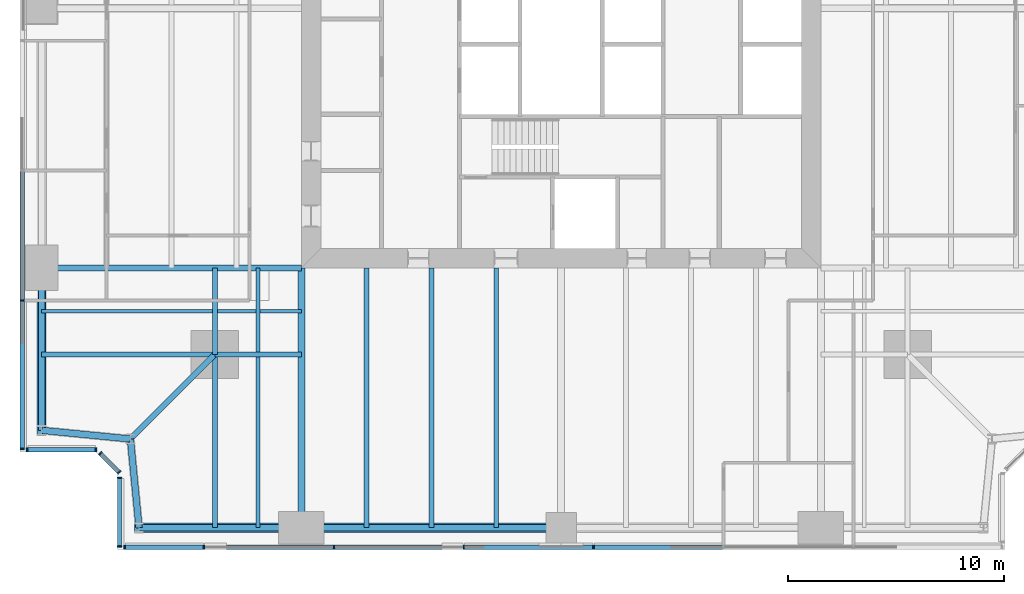
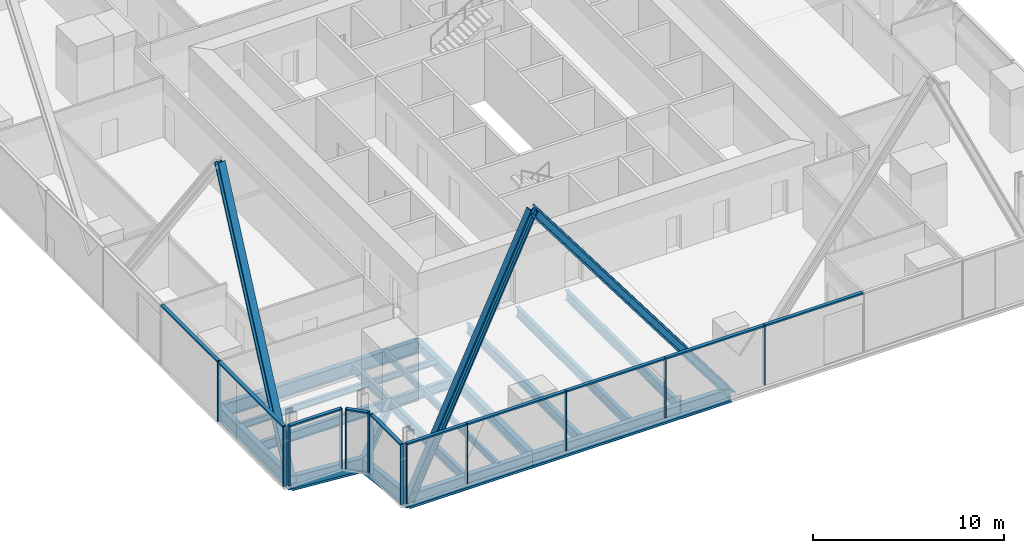
# One storey, part 2 of 13: 26 members, 20 beams, 5 elements without a shape of their own.
"""IFC4 building model written with IfcOpenShell, lengths in metres."""

from ifc_helpers import new_model, si_unit, direction, frame, origin, origin_2d, place, context, subcontext, project, spatial, rectangle, i_section, extrude, material, material_profile, profile_set, type_object, element, aggregate, save


model = new_model("IFC4")

# Units and contexts
model_context = context("Model", 3, precision=1e-05, world=origin(), true_north=direction((0.0, 1.0)))
body_context = subcontext(model_context, "Body", "Model", "MODEL_VIEW")
ifc_project = project(units=[si_unit("LENGTHUNIT", "METRE"), si_unit("AREAUNIT", "SQUARE_METRE"), si_unit("VOLUMEUNIT", "CUBIC_METRE"), si_unit("PLANEANGLEUNIT", "RADIAN"), si_unit("MASSUNIT", "GRAM", prefix="KILO")], contexts=[model_context])

# Site, building, storey
site_placement = place(None, origin())
site = spatial("IfcSite", under=ifc_project, at=site_placement, CompositionType="ELEMENT")
building_placement = place(site_placement, origin())
building = spatial("IfcBuilding", under=site, at=building_placement, Name="Fenwick Lantern Interchange", CompositionType="ELEMENT")
storey_placement = place(building_placement, frame((0.0, 0.0, 114.39990234375)))
storey = spatial("IfcBuildingStorey", under=building, at=storey_placement, Name="L26", CompositionType="ELEMENT", Elevation=114.39990234375)

# Beams
ifc_material_1 = material(Name="Steel ASTM A992 Grade 50", Category="steel")
ifc_material_profile_1 = material_profile(ifc_material_1, i_section(OverallWidth=0.3046875, OverallDepth=0.911865234375, WebThickness=0.015869140625, FlangeThickness=0.02392578125, at=origin_2d()), Name="W36X150")
ifc_profile_set_1 = profile_set([ifc_material_profile_1], Name="Steel ASTM A992 Grade 50")
beam_type_1 = type_object("IfcBeamType", Name="EDGE BEAM W36X150", PredefinedType="SPANDREL", material=ifc_profile_set_1)
beam_1_placement = place(storey_placement, frame((5.5, 1.0, -0.605712890625), z_axis=(1.0, 0.0, 0.0), x_axis=(0.0, 1.0, 0.0)))
element("IfcBeam", 1, at=beam_1_placement, inside=storey, type_object=beam_type_1, Name="L26/FR/S/EB1", PredefinedType="SPANDREL", context=body_context, shape_type="SweptSolid", body=[
    extrude(i_section(OverallWidth=0.3046875, OverallDepth=0.911865234375, WebThickness=0.015869140625, FlangeThickness=0.02392578125, at=origin_2d()), origin(), (0.0, 0.0, 1.0), 7.5),
])
beam_2_placement = place(storey_placement, frame((13.0, 1.0, -0.605712890625), z_axis=(1.0, 0.0, 0.0), x_axis=(0.0, 1.0, 0.0)))
element("IfcBeam", 2, at=beam_2_placement, inside=storey, type_object=beam_type_1, Name="L26/FR/S/EB2", PredefinedType="SPANDREL", context=body_context, shape_type="SweptSolid", body=[
    extrude(i_section(OverallWidth=0.3046875, OverallDepth=0.911865234375, WebThickness=0.015869140625, FlangeThickness=0.02392578125, at=origin_2d()), origin(), (0.0, 0.0, 1.0), 12.0),
])
beam_3_placement = place(storey_placement, frame((1.0, 13.0, -0.605712890625), z_axis=(0.0, -1.0, 0.0), x_axis=(1.0, 0.0, 0.0)))
element("IfcBeam", 3, at=beam_3_placement, inside=storey, type_object=beam_type_1, Name="L26/FR/W/EB4", PredefinedType="SPANDREL", context=body_context, shape_type="SweptSolid", body=[
    extrude(i_section(OverallWidth=0.3046875, OverallDepth=0.911865234375, WebThickness=0.015869140625, FlangeThickness=0.02392578125, at=origin_2d()), origin(), (0.0, 0.0, 1.0), 7.5),
])
for number, where, z_axis, x_axis, name in (
    (4, (1.0, 5.5, -0.605712890625), (0.995277148028, -0.097074191287, 0.0), (0.097074191287, 0.995277148028, 0.0), "L26/FR/W/EBR1"),
    (5, (5.10009765625, 5.10009765625, -0.605712890625), (0.097074191287, -0.995277148028, 0.0), (0.995277148028, 0.097074191287, 0.0), "L26/FR/W/EBR2"),
):
    element("IfcBeam", number, at=place(storey_placement, frame(where, z_axis=z_axis, x_axis=x_axis)), inside=storey, type_object=beam_type_1, Name=name, PredefinedType="SPANDREL", context=body_context, shape_type="SweptSolid", body=[
        extrude(i_section(OverallWidth=0.3046875, OverallDepth=0.911865234375, WebThickness=0.015869140625, FlangeThickness=0.02392578125, at=origin_2d()), origin(), (0.0, 0.0, 1.0), 4.11962890625),
    ])

# Members
ifc_material_profile_2 = material_profile(ifc_material_1, i_section(OverallWidth=0.424072265625, OverallDepth=0.47509765625, WebThickness=0.0478515625, FlangeThickness=0.0771484375, at=origin_2d()), Name="W14X426")
ifc_profile_set_2 = profile_set([ifc_material_profile_2], Name="Steel ASTM A992 Grade 50")
member_type_1 = type_object("IfcMemberType", Name="FACADE BRACE W14X426", PredefinedType="BRACE", material=ifc_profile_set_2)
for number, where, z_axis, x_axis, name in (
    (6, (5.5, 1.0, -0.605712890625), (0.424433876231, 0.0, 0.905458935959), (0.0, 1.0, 0.0), "L26/FB/S/AE"),
    (7, (1.0, 5.5, -0.605712890625), (0.0, 0.424433876231, 0.905458935959), (-1.0, 0.0, 0.0), "L26/FB/W/BE"),
):
    element("IfcMember", number, at=place(storey_placement, frame(where, z_axis=z_axis, x_axis=x_axis)), inside=storey, type_object=member_type_1, Name=name, PredefinedType="BRACE", context=body_context, shape_type="SweptSolid", body=[
        extrude(i_section(OverallWidth=0.424072265625, OverallDepth=0.47509765625, WebThickness=0.0478515625, FlangeThickness=0.0771484375, at=origin_2d()), origin(), (0.0, 0.0, 1.0), 17.670654296875),
    ])
ifc_material_profile_3 = material_profile(ifc_material_1, i_section(OverallWidth=0.44189453125, OverallDepth=0.53076171875, WebThickness=0.06591796875, FlangeThickness=0.105712890625, at=origin_2d()), Name="W14X605")
ifc_profile_set_3 = profile_set([ifc_material_profile_3], Name="Steel ASTM A992 Grade 50")
member_type_2 = type_object("IfcMemberType", Name="FACADE BRACE W14X605", PredefinedType="BRACE", material=ifc_profile_set_3)
member_1_placement = place(storey_placement, frame((25.0, 1.0, -0.605712890625), z_axis=(-0.6, 0.0, 0.8), x_axis=(0.0, -1.0, 0.0)))
element("IfcMember", 8, at=member_1_placement, inside=storey, type_object=member_type_2, Name="L26/FB/S/A", PredefinedType="BRACE", context=body_context, shape_type="SweptSolid", body=[
    extrude(i_section(OverallWidth=0.44189453125, OverallDepth=0.53076171875, WebThickness=0.06591796875, FlangeThickness=0.105712890625, at=origin_2d()), origin(), (0.0, 0.0, 1.0), 20.0),
])

# Beams
ifc_material_profile_4 = material_profile(ifc_material_1, i_section(OverallWidth=0.22900390625, OverallDepth=0.612060546875, WebThickness=0.011962890625, FlangeThickness=0.01953125, at=origin_2d()), Name="W24X84")
ifc_profile_set_4 = profile_set([ifc_material_profile_4], Name="Steel ASTM A992 Grade 50")
beam_type_2 = type_object("IfcBeamType", Name="FLOOR BEAM W24X84", PredefinedType="BEAM", material=ifc_profile_set_4)
for number, where, z_axis, x_axis, name in (
    (9, (16.0, 1.0, -0.4560546875), (0.0, 1.0, 0.0), (-1.0, 0.0, 0.0), "L26/FR/S/R02"),
    (10, (19.0, 1.0, -0.4560546875), (0.0, 1.0, 0.0), (-1.0, 0.0, 0.0), "L26/FR/S/R03"),
    (11, (22.0, 1.0, -0.4560546875), (0.0, 1.0, 0.0), (-1.0, 0.0, 0.0), "L26/FR/S/R04"),
):
    element("IfcBeam", number, at=place(storey_placement, frame(where, z_axis=z_axis, x_axis=x_axis)), inside=storey, type_object=beam_type_2, Name=name, PredefinedType="BEAM", context=body_context, shape_type="SweptSolid", body=[
        extrude(i_section(OverallWidth=0.22900390625, OverallDepth=0.612060546875, WebThickness=0.011962890625, FlangeThickness=0.01953125, at=origin_2d()), origin(), (0.0, 0.0, 1.0), 12.0),
    ])
ifc_material_profile_5 = material_profile(ifc_material_1, i_section(OverallWidth=0.177734375, OverallDepth=0.406494140625, WebThickness=0.0078125, FlangeThickness=0.012939453125, at=origin_2d()), Name="W16X40")
ifc_profile_set_5 = profile_set([ifc_material_profile_5], Name="Steel ASTM A992 Grade 50")
beam_type_3 = type_object("IfcBeamType", Name="INFILL BEAM W16X40", PredefinedType="JOIST", material=ifc_profile_set_5)
beam_4_placement = place(storey_placement, frame((11.0, 1.0, -0.35302734375), z_axis=(0.0, 1.0, 0.0), x_axis=(-1.0, 0.0, 0.0)))
element("IfcBeam", 12, at=beam_4_placement, inside=storey, type_object=beam_type_3, Name="L26/FR/S/J1", PredefinedType="JOIST", context=body_context, shape_type="SweptSolid", body=[
    extrude(i_section(OverallWidth=0.177734375, OverallDepth=0.406494140625, WebThickness=0.0078125, FlangeThickness=0.012939453125, at=origin_2d()), origin(), (0.0, 0.0, 1.0), 7.885498046875),
])
beam_5_placement = place(storey_placement, frame((11.0, 9.114501953125, -0.35302734375), z_axis=(0.0, 1.0, 0.0), x_axis=(-1.0, 0.0, 0.0)))
element("IfcBeam", 13, at=beam_5_placement, inside=storey, type_object=beam_type_3, Name="L26/FR/S/J2", PredefinedType="JOIST", context=body_context, shape_type="SweptSolid", body=[
    extrude(i_section(OverallWidth=0.177734375, OverallDepth=0.406494140625, WebThickness=0.0078125, FlangeThickness=0.012939453125, at=origin_2d()), origin(), (0.0, 0.0, 1.0), 3.885498046875),
])
beam_6_placement = place(storey_placement, frame((1.0, 11.0, -0.35302734375), z_axis=(1.0, 0.0, 0.0), x_axis=(0.0, 1.0, 0.0)))
element("IfcBeam", 14, at=beam_6_placement, inside=storey, type_object=beam_type_3, Name="L26/FR/S/J3", PredefinedType="JOIST", context=body_context, shape_type="SweptSolid", body=[
    extrude(i_section(OverallWidth=0.177734375, OverallDepth=0.406494140625, WebThickness=0.0078125, FlangeThickness=0.012939453125, at=origin_2d()), origin(), (0.0, 0.0, 1.0), 7.885498046875),
])
beam_7_placement = place(storey_placement, frame((9.114501953125, 11.0, -0.35302734375), z_axis=(1.0, 0.0, 0.0), x_axis=(0.0, 1.0, 0.0)))
element("IfcBeam", 15, at=beam_7_placement, inside=storey, type_object=beam_type_3, Name="L26/FR/S/J4", PredefinedType="JOIST", context=body_context, shape_type="SweptSolid", body=[
    extrude(i_section(OverallWidth=0.177734375, OverallDepth=0.406494140625, WebThickness=0.0078125, FlangeThickness=0.012939453125, at=origin_2d()), origin(), (0.0, 0.0, 1.0), 1.796630859375),
])
beam_8_placement = place(storey_placement, frame((11.0888671875, 11.0, -0.35302734375), z_axis=(1.0, 0.0, 0.0), x_axis=(0.0, 1.0, 0.0)))
element("IfcBeam", 16, at=beam_8_placement, inside=storey, type_object=beam_type_3, Name="L26/FR/S/J5", PredefinedType="JOIST", context=body_context, shape_type="SweptSolid", body=[
    extrude(i_section(OverallWidth=0.177734375, OverallDepth=0.406494140625, WebThickness=0.0078125, FlangeThickness=0.012939453125, at=origin_2d()), origin(), (0.0, 0.0, 1.0), 1.9111328125),
])
ifc_material_profile_6 = material_profile(ifc_material_1, i_section(OverallWidth=0.22900390625, OverallDepth=0.612060546875, WebThickness=0.011962890625, FlangeThickness=0.01953125, at=origin_2d()), Name="W24X84")
ifc_profile_set_6 = profile_set([ifc_material_profile_6], Name="Steel ASTM A992 Grade 50")
beam_type_4 = type_object("IfcBeamType", Name="MEGA COLUMN BEAM W24X84", PredefinedType="BEAM", material=ifc_profile_set_6)
for number, where, z_axis, x_axis, name in (
    (17, (9.0, 9.0, -0.4560546875), (0.0, -1.0, 0.0), (1.0, 0.0, 0.0), "L26/FR/S/MB1"),
    (18, (9.0, 9.0, -0.4560546875), (-1.0, 0.0, 0.0), (0.0, -1.0, 0.0), "L26/FR/S/MB2"),
):
    element("IfcBeam", number, at=place(storey_placement, frame(where, z_axis=z_axis, x_axis=x_axis)), inside=storey, type_object=beam_type_4, Name=name, PredefinedType="BEAM", context=body_context, shape_type="SweptSolid", body=[
        extrude(i_section(OverallWidth=0.22900390625, OverallDepth=0.612060546875, WebThickness=0.011962890625, FlangeThickness=0.01953125, at=origin_2d()), origin(), (0.0, 0.0, 1.0), 8.0),
    ])
for number, where, z_axis, x_axis, name in (
    (19, (9.0, 9.0, -0.4560546875), (1.0, 0.0, 0.0), (0.0, 1.0, 0.0), "L26/FR/S/MB3"),
    (20, (9.0, 9.0, -0.4560546875), (0.0, 1.0, 0.0), (-1.0, 0.0, 0.0), "L26/FR/S/MB4"),
):
    element("IfcBeam", number, at=place(storey_placement, frame(where, z_axis=z_axis, x_axis=x_axis)), inside=storey, type_object=beam_type_4, Name=name, PredefinedType="BEAM", context=body_context, shape_type="SweptSolid", body=[
        extrude(i_section(OverallWidth=0.22900390625, OverallDepth=0.612060546875, WebThickness=0.011962890625, FlangeThickness=0.01953125, at=origin_2d()), origin(), (0.0, 0.0, 1.0), 4.0),
    ])
ifc_material_profile_7 = material_profile(ifc_material_1, i_section(OverallWidth=0.32763671875, OverallDepth=0.622314453125, WebThickness=0.015380859375, FlangeThickness=0.0244140625, at=origin_2d()), Name="W24X131")
ifc_profile_set_7 = profile_set([ifc_material_profile_7], Name="Steel ASTM A992 Grade 50")
beam_type_5 = type_object("IfcBeamType", Name="MOMENT-CONNECTED GIRDER W24X131", PredefinedType="BEAM", material=ifc_profile_set_7)
beam_9_placement = place(storey_placement, frame((13.0, 1.0, -0.4609375), z_axis=(0.0, 1.0, 0.0), x_axis=(-1.0, 0.0, 0.0)))
element("IfcBeam", 21, at=beam_9_placement, inside=storey, type_object=beam_type_5, Name="L26/FR/S/R01", PredefinedType="BEAM", context=body_context, shape_type="SweptSolid", body=[
    extrude(i_section(OverallWidth=0.32763671875, OverallDepth=0.622314453125, WebThickness=0.015380859375, FlangeThickness=0.0244140625, at=origin_2d()), origin(), (0.0, 0.0, 1.0), 12.0),
])
ifc_material_profile_8 = material_profile(ifc_material_1, i_section(OverallWidth=0.2919921875, OverallDepth=0.845703125, WebThickness=0.015380859375, FlangeThickness=0.0244140625, at=origin_2d()), Name="W33X141")
ifc_profile_set_8 = profile_set([ifc_material_profile_8], Name="Steel ASTM A992 Grade 50")
beam_type_6 = type_object("IfcBeamType", Name="MOMENT-CONNECTED GIRDER W33X141", PredefinedType="BEAM", material=ifc_profile_set_8)
beam_10_placement = place(storey_placement, frame((1.0, 13.0, -0.57275390625), z_axis=(1.0, 0.0, 0.0), x_axis=(0.0, 1.0, 0.0)))
element("IfcBeam", 22, at=beam_10_placement, inside=storey, type_object=beam_type_6, Name="L26/FR/W/R03", PredefinedType="BEAM", context=body_context, shape_type="SweptSolid", body=[
    extrude(i_section(OverallWidth=0.2919921875, OverallDepth=0.845703125, WebThickness=0.015380859375, FlangeThickness=0.0244140625, at=origin_2d()), origin(), (0.0, 0.0, 1.0), 12.0),
])
ifc_material_profile_9 = material_profile(ifc_material_1, i_section(OverallWidth=0.2666015625, OverallDepth=0.7568359375, WebThickness=0.013916015625, FlangeThickness=0.019287109375, at=origin_2d()), Name="W30X108")
ifc_profile_set_9 = profile_set([ifc_material_profile_9], Name="Steel ASTM A992 Grade 50")
beam_type_7 = type_object("IfcBeamType", Name="NOTCH BEAM W30X108", PredefinedType="BEAM", material=ifc_profile_set_9)
beam_11_placement = place(storey_placement, frame((9.0, 9.0, -0.5283203125), z_axis=(-0.707106781187, -0.707106781187, 0.0), x_axis=(0.707106781187, -0.707106781187, 0.0)))
element("IfcBeam", 23, at=beam_11_placement, inside=storey, type_object=beam_type_7, Name="L26/FR/S/TG", PredefinedType="BEAM", context=body_context, shape_type="SweptSolid", body=[
    extrude(i_section(OverallWidth=0.2666015625, OverallDepth=0.7568359375, WebThickness=0.013916015625, FlangeThickness=0.019287109375, at=origin_2d()), origin(), (0.0, 0.0, 1.0), 5.515380859375),
])

# Curtain wall, members
ifc_material_2 = material(Name="Aluminium curtain wall frame", Category="aluminium")
curtain_wall_type = type_object("IfcCurtainWallType", Name="OFFICE CURTAIN WALL", PredefinedType="USERDEFINED", material=ifc_material_2)
curtain_wall_1_placement = place(storey_placement, origin())
curtain_wall_1 = element("IfcCurtainWall", 24, at=curtain_wall_1_placement, inside=storey, type_object=curtain_wall_type, Name="Office curtain wall 01", ObjectType="OFFICE CURTAIN WALL", PredefinedType="USERDEFINED")
ifc_material_3 = material(Name="Aluminium extrusion", Category="aluminium")
ifc_material_profile_10 = material_profile(ifc_material_3, rectangle(XDim=0.199951171875, YDim=0.06494140625, at=origin_2d()), Name="OFFICE CURTAIN WALL MULLION 65 X 200")
ifc_profile_set_10 = profile_set([ifc_material_profile_10], Name="Aluminium extrusion")
member_type_3 = type_object("IfcMemberType", Name="OFFICE CURTAIN WALL MULLION 65 X 200", PredefinedType="MULLION", material=ifc_profile_set_10)
member_2_placement = place(storey_placement, frame((4.83251953125, 0.10009765625, 0.0), z_axis=(0.0, 0.0, 1.0), x_axis=(0.0, 1.0, 0.0)))
member_2 = element("IfcMember", 25, at=member_2_placement, type_object=member_type_3, Name="L26/CW/01/M00", PredefinedType="MULLION", context=body_context, shape_type="SweptSolid", body=[
    extrude(rectangle(XDim=0.199951171875, YDim=0.06494140625, at=origin_2d()), origin(), (0.0, 0.0, 1.0), 3.85009765625),
])
member_3_placement = place(storey_placement, frame((8.5, 0.10009765625, 0.0), z_axis=(0.0, 0.0, 1.0), x_axis=(0.0, 1.0, 0.0)))
member_3 = element("IfcMember", 26, at=member_3_placement, type_object=member_type_3, Name="L26/CW/01/M01", PredefinedType="MULLION", context=body_context, shape_type="SweptSolid", body=[
    extrude(rectangle(XDim=0.199951171875, YDim=0.06494140625, at=origin_2d()), origin(), (0.0, 0.0, 1.0), 3.85009765625),
])
member_4_placement = place(storey_placement, frame((14.5, 0.10009765625, 0.0), z_axis=(0.0, 0.0, 1.0), x_axis=(0.0, 1.0, 0.0)))
member_4 = element("IfcMember", 27, at=member_4_placement, type_object=member_type_3, Name="L26/CW/01/M02", PredefinedType="MULLION", context=body_context, shape_type="SweptSolid", body=[
    extrude(rectangle(XDim=0.199951171875, YDim=0.06494140625, at=origin_2d()), origin(), (0.0, 0.0, 1.0), 3.85009765625),
])
member_5_placement = place(storey_placement, frame((20.5, 0.10009765625, 0.0), z_axis=(0.0, 0.0, 1.0), x_axis=(0.0, 1.0, 0.0)))
member_5 = element("IfcMember", 28, at=member_5_placement, type_object=member_type_3, Name="L26/CW/01/M03", PredefinedType="MULLION", context=body_context, shape_type="SweptSolid", body=[
    extrude(rectangle(XDim=0.199951171875, YDim=0.06494140625, at=origin_2d()), origin(), (0.0, 0.0, 1.0), 3.85009765625),
])
member_6_placement = place(storey_placement, frame((26.5, 0.10009765625, 0.0), z_axis=(0.0, 0.0, 1.0), x_axis=(0.0, 1.0, 0.0)))
member_6 = element("IfcMember", 29, at=member_6_placement, type_object=member_type_3, Name="L26/CW/01/M04", PredefinedType="MULLION", context=body_context, shape_type="SweptSolid", body=[
    extrude(rectangle(XDim=0.199951171875, YDim=0.06494140625, at=origin_2d()), origin(), (0.0, 0.0, 1.0), 3.85009765625),
])

curtain_wall_2_placement = place(storey_placement, origin())
curtain_wall_2 = element("IfcCurtainWall", 30, at=curtain_wall_2_placement, inside=storey, type_object=curtain_wall_type, Name="Office curtain wall 13", ObjectType="OFFICE CURTAIN WALL", PredefinedType="USERDEFINED")
member_7_placement = place(storey_placement, frame((0.10009765625, 11.5, 0.0), z_axis=(0.0, 0.0, 1.0), x_axis=(1.0, 0.0, 0.0)))
member_7 = element("IfcMember", 31, at=member_7_placement, type_object=member_type_3, Name="L26/CW/13/M06", PredefinedType="MULLION", context=body_context, shape_type="SweptSolid", body=[
    extrude(rectangle(XDim=0.199951171875, YDim=0.06494140625, at=origin_2d()), origin(), (0.0, 0.0, 1.0), 3.85009765625),
])
member_8_placement = place(storey_placement, frame((0.10009765625, 4.632568359375, 0.0), z_axis=(0.0, 0.0, 1.0), x_axis=(1.0, 0.0, 0.0)))
member_8 = element("IfcMember", 32, at=member_8_placement, type_object=member_type_3, Name="L26/CW/13/M07", PredefinedType="MULLION", context=body_context, shape_type="SweptSolid", body=[
    extrude(rectangle(XDim=0.199951171875, YDim=0.06494140625, at=origin_2d()), origin(), (0.0, 0.0, 1.0), 3.85009765625),
])

curtain_wall_3_placement = place(storey_placement, origin())
curtain_wall_3 = element("IfcCurtainWall", 33, at=curtain_wall_3_placement, inside=storey, type_object=curtain_wall_type, Name="Office curtain wall 14", ObjectType="OFFICE CURTAIN WALL", PredefinedType="USERDEFINED")
member_9_placement = place(storey_placement, frame((0.33251953125, 4.60009765625, 0.0), z_axis=(0.0, 0.0, 1.0), x_axis=(0.0, 1.0, 0.0)))
member_9 = element("IfcMember", 34, at=member_9_placement, type_object=member_type_3, Name="L26/CW/14/M00", PredefinedType="MULLION", context=body_context, shape_type="SweptSolid", body=[
    extrude(rectangle(XDim=0.199951171875, YDim=0.06494140625, at=origin_2d()), origin(), (0.0, 0.0, 1.0), 3.85009765625),
])
member_10_placement = place(storey_placement, frame((3.509033203125, 4.60009765625, 0.0), z_axis=(0.0, 0.0, 1.0), x_axis=(0.0, 1.0, 0.0)))
member_10 = element("IfcMember", 35, at=member_10_placement, type_object=member_type_3, Name="L26/CW/14/M01", PredefinedType="MULLION", context=body_context, shape_type="SweptSolid", body=[
    extrude(rectangle(XDim=0.199951171875, YDim=0.06494140625, at=origin_2d()), origin(), (0.0, 0.0, 1.0), 3.85009765625),
])

curtain_wall_4_placement = place(storey_placement, origin())
curtain_wall_4 = element("IfcCurtainWall", 36, at=curtain_wall_4_placement, inside=storey, type_object=curtain_wall_type, Name="Office curtain wall 15", ObjectType="OFFICE CURTAIN WALL", PredefinedType="USERDEFINED")
member_11_placement = place(storey_placement, frame((3.705810546875, 4.435546875, 0.0), z_axis=(0.0, 0.0, 1.0), x_axis=(0.707106781187, 0.707106781187, 0.0)))
member_11 = element("IfcMember", 37, at=member_11_placement, type_object=member_type_3, Name="L26/CW/15/M00", PredefinedType="MULLION", context=body_context, shape_type="SweptSolid", body=[
    extrude(rectangle(XDim=0.199951171875, YDim=0.06494140625, at=origin_2d()), origin(), (0.0, 0.0, 1.0), 3.85009765625),
])
member_12_placement = place(storey_placement, frame((4.576904296875, 3.564453125, 0.0), z_axis=(0.0, 0.0, 1.0), x_axis=(0.707106781187, 0.707106781187, 0.0)))
member_12 = element("IfcMember", 38, at=member_12_placement, type_object=member_type_3, Name="L26/CW/15/M01", PredefinedType="MULLION", context=body_context, shape_type="SweptSolid", body=[
    extrude(rectangle(XDim=0.199951171875, YDim=0.06494140625, at=origin_2d()), origin(), (0.0, 0.0, 1.0), 3.85009765625),
])

curtain_wall_5_placement = place(storey_placement, origin())
curtain_wall_5 = element("IfcCurtainWall", 39, at=curtain_wall_5_placement, inside=storey, type_object=curtain_wall_type, Name="Office curtain wall 16", ObjectType="OFFICE CURTAIN WALL", PredefinedType="USERDEFINED")
member_13_placement = place(storey_placement, frame((4.60009765625, 3.308837890625, 0.0), z_axis=(0.0, 0.0, 1.0), x_axis=(1.0, 0.0, 0.0)))
member_13 = element("IfcMember", 40, at=member_13_placement, type_object=member_type_3, Name="L26/CW/16/M00", PredefinedType="MULLION", context=body_context, shape_type="SweptSolid", body=[
    extrude(rectangle(XDim=0.199951171875, YDim=0.06494140625, at=origin_2d()), origin(), (0.0, 0.0, 1.0), 3.85009765625),
])
member_14_placement = place(storey_placement, frame((4.60009765625, 0.132568359375, 0.0), z_axis=(0.0, 0.0, 1.0), x_axis=(1.0, 0.0, 0.0)))
member_14 = element("IfcMember", 41, at=member_14_placement, type_object=member_type_3, Name="L26/CW/16/M01", PredefinedType="MULLION", context=body_context, shape_type="SweptSolid", body=[
    extrude(rectangle(XDim=0.199951171875, YDim=0.06494140625, at=origin_2d()), origin(), (0.0, 0.0, 1.0), 3.85009765625),
])

# Member
ifc_material_profile_11 = material_profile(ifc_material_3, rectangle(XDim=0.199951171875, YDim=0.10009765625, at=origin_2d()), Name="OFFICE CURTAIN WALL TRANSOM 100 X 200")
ifc_profile_set_11 = profile_set([ifc_material_profile_11], Name="Aluminium extrusion")
member_type_4 = type_object("IfcMemberType", Name="OFFICE CURTAIN WALL TRANSOM 100 X 200", PredefinedType="MULLION", material=ifc_profile_set_11)
member_15_placement = place(storey_placement, frame((4.864990234375, 0.10009765625, 3.800048828125), z_axis=(1.0, 0.0, 0.0), x_axis=(0.0, 1.0, 0.0)))
member_15 = element("IfcMember", 42, at=member_15_placement, type_object=member_type_4, Name="L26/CW/01/T00", PredefinedType="MULLION", context=body_context, shape_type="SweptSolid", body=[
    extrude(rectangle(XDim=0.199951171875, YDim=0.10009765625, at=origin_2d()), origin(), (0.0, 0.0, 1.0), 3.6025390625),
])

member_16_placement = place(storey_placement, frame((8.532470703125, 0.10009765625, 3.800048828125), z_axis=(1.0, 0.0, 0.0), x_axis=(0.0, 1.0, 0.0)))
member_16 = element("IfcMember", 43, at=member_16_placement, type_object=member_type_4, Name="L26/CW/01/T01", PredefinedType="MULLION", context=body_context, shape_type="SweptSolid", body=[
    extrude(rectangle(XDim=0.199951171875, YDim=0.10009765625, at=origin_2d()), origin(), (0.0, 0.0, 1.0), 5.93505859375),
])

member_17_placement = place(storey_placement, frame((14.532470703125, 0.10009765625, 3.800048828125), z_axis=(1.0, 0.0, 0.0), x_axis=(0.0, 1.0, 0.0)))
member_17 = element("IfcMember", 44, at=member_17_placement, type_object=member_type_4, Name="L26/CW/01/T02", PredefinedType="MULLION", context=body_context, shape_type="SweptSolid", body=[
    extrude(rectangle(XDim=0.199951171875, YDim=0.10009765625, at=origin_2d()), origin(), (0.0, 0.0, 1.0), 5.93505859375),
])

member_18_placement = place(storey_placement, frame((20.532470703125, 0.10009765625, 3.800048828125), z_axis=(1.0, 0.0, 0.0), x_axis=(0.0, 1.0, 0.0)))
member_18 = element("IfcMember", 45, at=member_18_placement, type_object=member_type_4, Name="L26/CW/01/T03", PredefinedType="MULLION", context=body_context, shape_type="SweptSolid", body=[
    extrude(rectangle(XDim=0.199951171875, YDim=0.10009765625, at=origin_2d()), origin(), (0.0, 0.0, 1.0), 5.93505859375),
])

member_19_placement = place(storey_placement, frame((26.532470703125, 0.10009765625, 3.800048828125), z_axis=(1.0, 0.0, 0.0), x_axis=(0.0, 1.0, 0.0)))
member_19 = element("IfcMember", 46, at=member_19_placement, type_object=member_type_4, Name="L26/CW/01/T04", PredefinedType="MULLION", context=body_context, shape_type="SweptSolid", body=[
    extrude(rectangle(XDim=0.199951171875, YDim=0.10009765625, at=origin_2d()), origin(), (0.0, 0.0, 1.0), 5.93505859375),
])

aggregate(curtain_wall_1, [member_2, member_3, member_4, member_5, member_6, member_15, member_16, member_17, member_18, member_19])

member_20_placement = place(storey_placement, frame((0.10009765625, 17.467529296875, 3.800048828125), z_axis=(0.0, -1.0, 0.0), x_axis=(1.0, 0.0, 0.0)))
member_20 = element("IfcMember", 47, at=member_20_placement, type_object=member_type_4, Name="L26/CW/13/T05", PredefinedType="MULLION", context=body_context, shape_type="SweptSolid", body=[
    extrude(rectangle(XDim=0.199951171875, YDim=0.10009765625, at=origin_2d()), origin(), (0.0, 0.0, 1.0), 5.93505859375),
])

member_21_placement = place(storey_placement, frame((0.10009765625, 11.467529296875, 3.800048828125), z_axis=(0.0, -1.0, 0.0), x_axis=(1.0, 0.0, 0.0)))
member_21 = element("IfcMember", 48, at=member_21_placement, type_object=member_type_4, Name="L26/CW/13/T06", PredefinedType="MULLION", context=body_context, shape_type="SweptSolid", body=[
    extrude(rectangle(XDim=0.199951171875, YDim=0.10009765625, at=origin_2d()), origin(), (0.0, 0.0, 1.0), 6.802490234375),
])

aggregate(curtain_wall_2, [member_7, member_8, member_20, member_21])

member_22_placement = place(storey_placement, frame((0.364990234375, 4.60009765625, 3.800048828125), z_axis=(1.0, 0.0, 0.0), x_axis=(0.0, 1.0, 0.0)))
member_22 = element("IfcMember", 49, at=member_22_placement, type_object=member_type_4, Name="L26/CW/14/T00", PredefinedType="MULLION", context=body_context, shape_type="SweptSolid", body=[
    extrude(rectangle(XDim=0.199951171875, YDim=0.10009765625, at=origin_2d()), origin(), (0.0, 0.0, 1.0), 3.111328125),
])

aggregate(curtain_wall_3, [member_9, member_10, member_22])

member_23_placement = place(storey_placement, frame((3.728759765625, 4.41259765625, 3.800048828125), z_axis=(0.707106781187, -0.707106781187, 0.0), x_axis=(0.707106781187, 0.707106781187, 0.0)))
member_23 = element("IfcMember", 50, at=member_23_placement, type_object=member_type_4, Name="L26/CW/15/T00", PredefinedType="MULLION", context=body_context, shape_type="SweptSolid", body=[
    extrude(rectangle(XDim=0.199951171875, YDim=0.10009765625, at=origin_2d()), origin(), (0.0, 0.0, 1.0), 1.1669921875),
])

aggregate(curtain_wall_4, [member_11, member_12, member_23])

member_24_placement = place(storey_placement, frame((4.60009765625, 3.2763671875, 3.800048828125), z_axis=(0.0, -1.0, 0.0), x_axis=(1.0, 0.0, 0.0)))
member_24 = element("IfcMember", 51, at=member_24_placement, type_object=member_type_4, Name="L26/CW/16/T00", PredefinedType="MULLION", context=body_context, shape_type="SweptSolid", body=[
    extrude(rectangle(XDim=0.199951171875, YDim=0.10009765625, at=origin_2d()), origin(), (0.0, 0.0, 1.0), 3.111328125),
])

aggregate(curtain_wall_5, [member_13, member_14, member_24])

save(model, "model.ifc")
